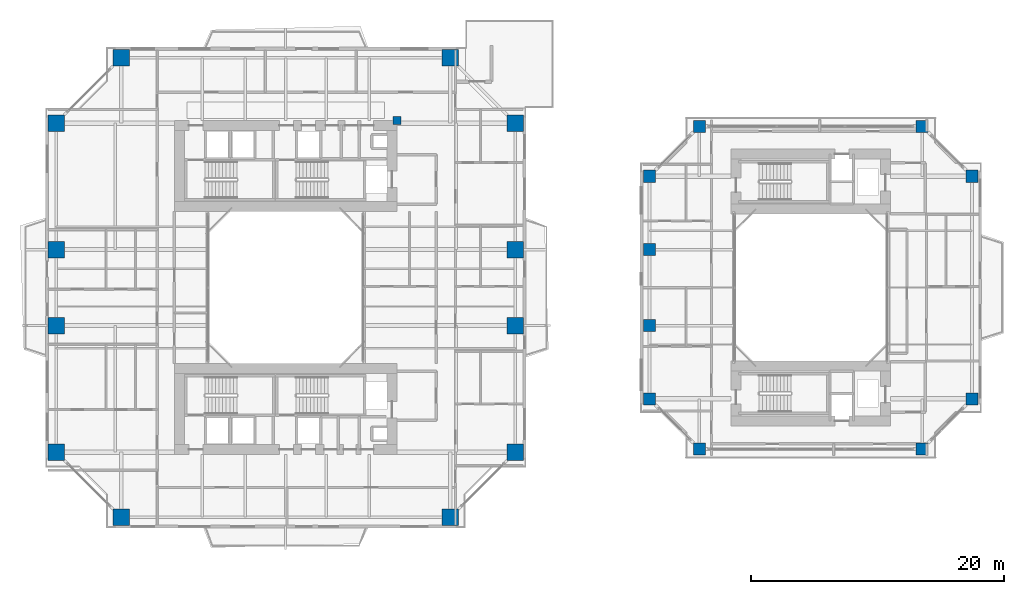
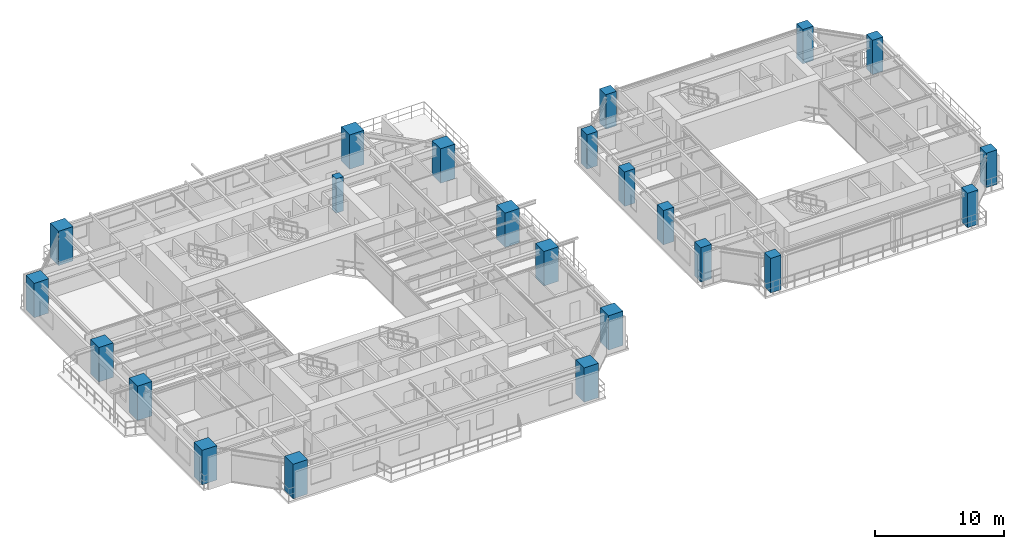
# One storey, part 1 of 23: 23 columns.
"""IFC4 building model written with IfcOpenShell, lengths in metres."""

from ifc_helpers import new_model, si_unit, direction, frame, origin, origin_2d, place, context, subcontext, project, spatial, rectangle, extrude, source, transform, mapped, material, material_profile, profile_set, type_object, element, save


model = new_model("IFC4")

# Units and contexts
model_context = context("Model", 3, precision=1e-05, world=origin(), true_north=direction((0.0, 1.0)))
body_context = subcontext(model_context, "Body", "Model", "MODEL_VIEW")
ifc_project = project(units=[si_unit("LENGTHUNIT", "METRE"), si_unit("AREAUNIT", "SQUARE_METRE"), si_unit("VOLUMEUNIT", "CUBIC_METRE"), si_unit("PLANEANGLEUNIT", "RADIAN"), si_unit("MASSUNIT", "GRAM", prefix="KILO"), si_unit("THERMODYNAMICTEMPERATUREUNIT", "KELVIN"), si_unit("POWERUNIT", "WATT")], contexts=[model_context])

# Site, building, storey
site_placement = place(None, origin())
site = spatial("IfcSite", under=ifc_project, at=site_placement, CompositionType="ELEMENT")
building_placement = place(site_placement, origin())
building = spatial("IfcBuilding", under=site, at=building_placement, Name="Qiaomeng Ring Towers", CompositionType="ELEMENT")
storey_placement = place(building_placement, frame((0.0, 0.0, 32.75)))
storey = spatial("IfcBuildingStorey", under=building, at=storey_placement, Name="L08", CompositionType="ELEMENT", Elevation=32.75)

# Columns
ifc_material_1 = material(Name="Concrete C50", Category="concrete")
ifc_material_profile_1 = material_profile(ifc_material_1, rectangle(XDim=0.64990234375, YDim=0.64990234375, at=origin_2d()), Name="RC COL 650x650")
ifc_profile_set_1 = profile_set([ifc_material_profile_1], Name="Concrete C50")
column_type_1 = type_object("IfcColumnType", Name="STR-PIL-650", PredefinedType="PILASTER", material=ifc_profile_set_1)
shared_shape_1 = source(origin(), body_context, "Body", "SweptSolid", [
    extrude(rectangle(XDim=0.64990234375, YDim=0.64990234375, at=origin_2d()), origin(), (0.0, 0.0, 1.0), 3.25),
])
column_placement = place(storey_placement, frame((27.800048828125, 36.199951171875, 0.0), z_axis=(0.0, 0.0, 1.0), x_axis=(1.0, 0.0, 0.0)))
element("IfcColumn", 1, at=column_placement, inside=storey, type_object=column_type_1, Name="L08 column STR-PIL-L08-N", PredefinedType="PILASTER", context=body_context, shape_type="MappedRepresentation", body=[
    mapped(shared_shape_1, transform((0.0, 0.0, 0.0), x_axis=(1.0, 0.0, 0.0), y_axis=(0.0, 1.0, 0.0), z_axis=(0.0, 0.0, 1.0), scale=1.0)),
])
ifc_material_2 = material(Name="Concrete C60", Category="concrete")
ifc_material_profile_2 = material_profile(ifc_material_2, rectangle(XDim=1.300048828125, YDim=1.300048828125, at=origin_2d()), Name="RC COL 1300x1300")
ifc_profile_set_2 = profile_set([ifc_material_profile_2], Name="Concrete C60")
column_type_2 = type_object("IfcColumnType", Name="STR-COL-1300", PredefinedType="COLUMN", material=ifc_profile_set_2)
shared_shape_2 = source(origin(), body_context, "Body", "SweptSolid", [
    extrude(rectangle(XDim=1.300048828125, YDim=1.300048828125, at=origin_2d()), origin(), (0.0, 0.0, 1.0), 3.25),
])
for number, where, z_axis, x_axis, name in (
    (2, (6.0, 4.85009765625, 0.0), (0.0, 0.0, 1.0), (1.0, 0.0, 0.0), "L08 column STR-COL-L08-T1-S1"),
    (3, (32.0, 4.85009765625, 0.0), (0.0, 0.0, 1.0), (1.0, 0.0, 0.0), "L08 column STR-COL-L08-T1-S2"),
    (4, (37.14990234375, 10.0, 0.0), (0.0, 0.0, 1.0), (1.0, 0.0, 0.0), "L08 column STR-COL-L08-T1-E1"),
    (5, (37.14990234375, 20.0, 0.0), (0.0, 0.0, 1.0), (1.0, 0.0, 0.0), "L08 column STR-COL-L08-T1-E2"),
    (6, (37.14990234375, 26.0, 0.0), (0.0, 0.0, 1.0), (1.0, 0.0, 0.0), "L08 column STR-COL-L08-T1-E3"),
    (7, (37.14990234375, 36.0, 0.0), (0.0, 0.0, 1.0), (1.0, 0.0, 0.0), "L08 column STR-COL-L08-T1-E4"),
    (8, (32.0, 41.14990234375, 0.0), (0.0, 0.0, 1.0), (1.0, 0.0, 0.0), "L08 column STR-COL-L08-T1-N2"),
    (9, (6.0, 41.14990234375, 0.0), (0.0, 0.0, 1.0), (1.0, 0.0, 0.0), "L08 column STR-COL-L08-T1-N1"),
    (10, (0.85009765625, 36.0, 0.0), (0.0, 0.0, 1.0), (1.0, 0.0, 0.0), "L08 column STR-COL-L08-T1-W4"),
    (11, (0.85009765625, 26.0, 0.0), (0.0, 0.0, 1.0), (1.0, 0.0, 0.0), "L08 column STR-COL-L08-T1-W3"),
    (12, (0.85009765625, 20.0, 0.0), (0.0, 0.0, 1.0), (1.0, 0.0, 0.0), "L08 column STR-COL-L08-T1-W2"),
    (13, (0.85009765625, 10.0, 0.0), (0.0, 0.0, 1.0), (1.0, 0.0, 0.0), "L08 column STR-COL-L08-T1-W1"),
):
    element("IfcColumn", number, at=place(storey_placement, frame(where, z_axis=z_axis, x_axis=x_axis)), inside=storey, type_object=column_type_2, Name=name, PredefinedType="COLUMN", context=body_context, shape_type="MappedRepresentation", body=[
        mapped(shared_shape_2, transform((0.0, 0.0, 0.0), x_axis=(1.0, 0.0, 0.0), y_axis=(0.0, 1.0, 0.0), z_axis=(0.0, 0.0, 1.0), scale=1.0)),
    ])
ifc_material_profile_3 = material_profile(ifc_material_2, rectangle(XDim=0.949951171875, YDim=0.949951171875, at=origin_2d()), Name="RC COL 950x950")
ifc_profile_set_3 = profile_set([ifc_material_profile_3], Name="Concrete C60")
column_type_3 = type_object("IfcColumnType", Name="STR-COL-950-C60", PredefinedType="COLUMN", material=ifc_profile_set_3)
shared_shape_3 = source(origin(), body_context, "Body", "SweptSolid", [
    extrude(rectangle(XDim=0.949951171875, YDim=0.949951171875, at=origin_2d()), origin(), (0.0, 0.0, 1.0), 3.25),
])
for number, where, z_axis, x_axis, name in (
    (14, (51.699951171875, 10.25, 0.0), (0.0, 0.0, 1.0), (1.0, 0.0, 0.0), "L08 column STR-COL-L08-T2-S1"),
    (15, (69.300048828125, 10.25, 0.0), (0.0, 0.0, 1.0), (1.0, 0.0, 0.0), "L08 column STR-COL-L08-T2-S2"),
    (16, (73.25, 14.199951171875, 0.0), (0.0, 0.0, 1.0), (1.0, 0.0, 0.0), "L08 column STR-COL-L08-T2-E1"),
    (17, (73.25, 31.800048828125, 0.0), (0.0, 0.0, 1.0), (1.0, 0.0, 0.0), "L08 column STR-COL-L08-T2-E2"),
    (18, (69.300048828125, 35.75, 0.0), (0.0, 0.0, 1.0), (1.0, 0.0, 0.0), "L08 column STR-COL-L08-T2-N2"),
    (19, (51.699951171875, 35.75, 0.0), (0.0, 0.0, 1.0), (1.0, 0.0, 0.0), "L08 column STR-COL-L08-T2-N1"),
    (20, (47.75, 14.199951171875, 0.0), (0.0, 0.0, 1.0), (1.0, 0.0, 0.0), "L08 column STR-COL-L08-T2-W1"),
    (21, (47.75, 20.0, 0.0), (0.0, 0.0, 1.0), (1.0, 0.0, 0.0), "L08 column STR-COL-L08-T2-W2"),
    (22, (47.75, 26.0, 0.0), (0.0, 0.0, 1.0), (1.0, 0.0, 0.0), "L08 column STR-COL-L08-T2-W3"),
    (23, (47.75, 31.800048828125, 0.0), (0.0, 0.0, 1.0), (1.0, 0.0, 0.0), "L08 column STR-COL-L08-T2-W4"),
):
    element("IfcColumn", number, at=place(storey_placement, frame(where, z_axis=z_axis, x_axis=x_axis)), inside=storey, type_object=column_type_3, Name=name, PredefinedType="COLUMN", context=body_context, shape_type="MappedRepresentation", body=[
        mapped(shared_shape_3, transform((0.0, 0.0, 0.0), x_axis=(1.0, 0.0, 0.0), y_axis=(0.0, 1.0, 0.0), z_axis=(0.0, 0.0, 1.0), scale=1.0)),
    ])

save(model, "model.ifc")
